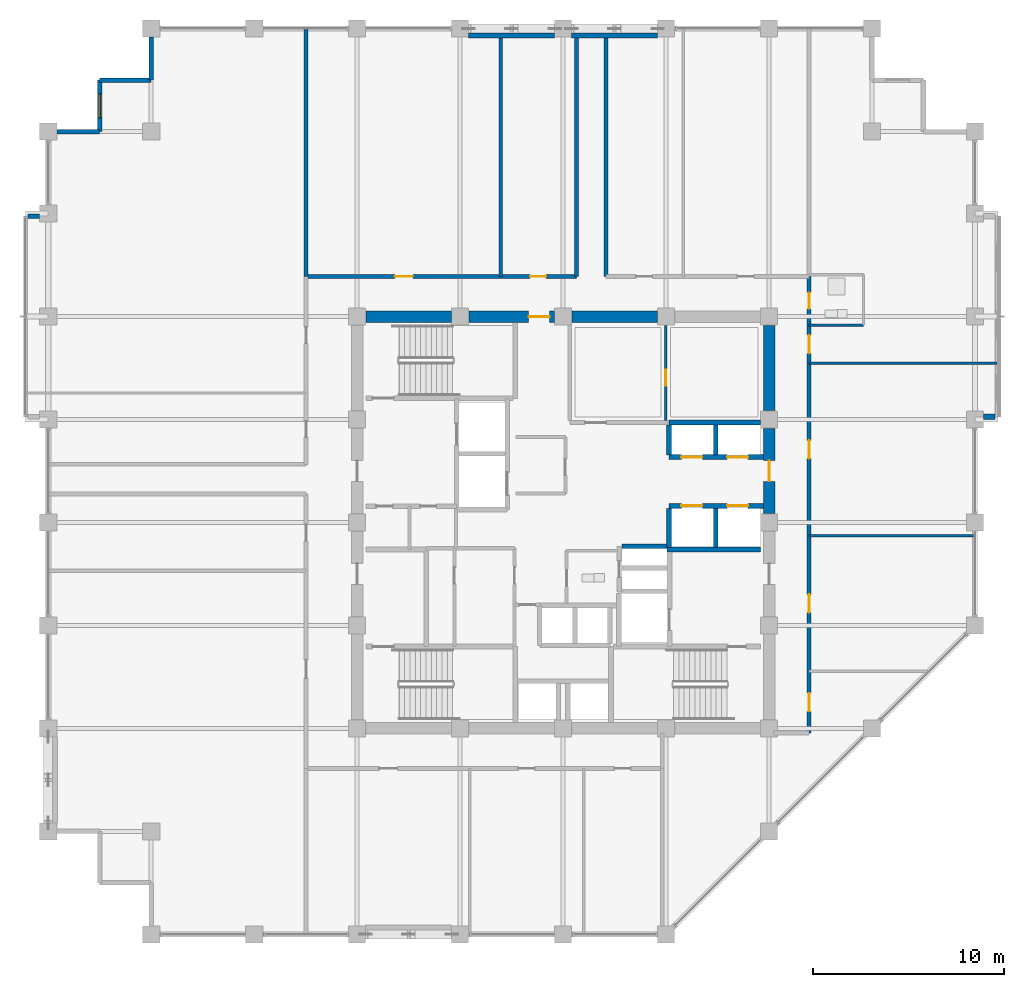
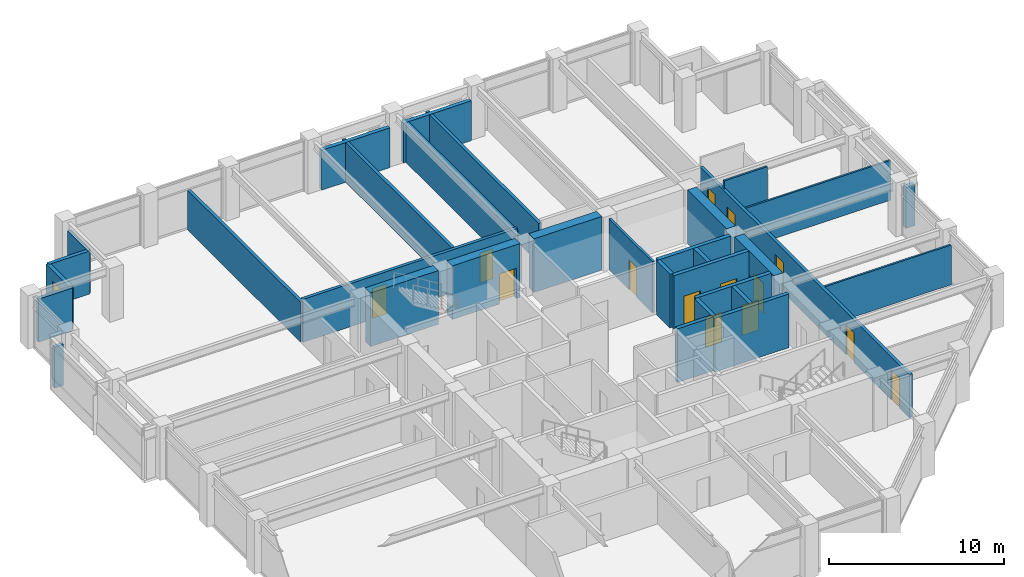
# One storey, part 28 of 32: 32 walls, 14 doors, 1 window, 15 openings.
"""IFC4 building model written with IfcOpenShell, lengths in metres."""

import ifcopenshell
import ifcopenshell.guid

model = None  # the IFC model being written
_history = None  # IfcOwnerHistory: only IFC2X3 demands one
_inside = {}  # id of a spatial element -> (the spatial element, [elements in it])
_under = {}  # id of a project, library or spatial element -> (it, [spatial elements below it])
_declared = {}  # id of a project -> (the project, [libraries it declares])
_typed = {}  # id of a type object -> (the type object, [elements of that type])
_made_of = {}  # id of a material, layer set ... -> (it, [elements and type objects made of it])


def new_model(schema):
    """Start an empty IFC model of exactly this schema.

    Asked for "IFC4X3", IfcOpenShell would pick the latest addendum, in which some entities
    have other attributes; the version numbers below select the first issue.
    IFC2X3 requires an IfcOwnerHistory on every rooted entity: one is made here for all.
    """
    global model, _history
    if schema == "IFC4X3":
        model = ifcopenshell.file(schema_version=(4, 3, 0, 0))
    else:
        model = ifcopenshell.file(schema=schema)
    _inside.clear()
    _under.clear()
    _declared.clear()
    _typed.clear()
    _made_of.clear()
    _history = None
    if model.schema == "IFC2X3":
        org = make("IfcOrganization", Name="unknown")
        user = make(
            "IfcPersonAndOrganization",
            ThePerson=make("IfcPerson", FamilyName="unknown"),
            TheOrganization=org,
        )
        app = make(
            "IfcApplication",
            ApplicationDeveloper=org,
            Version="unknown",
            ApplicationFullName="unknown",
            ApplicationIdentifier="unknown",
        )
        _history = make(
            "IfcOwnerHistory",
            OwningUser=user,
            OwningApplication=app,
            ChangeAction="ADDED",
            CreationDate=0,
        )
    return model


def make(cls, **values):
    """One entity of the class cls with the attributes given. An attribute that is None is left unset."""
    return model.create_entity(
        cls, **{name: value for name, value in values.items() if value is not None}
    )


def rooted(cls, **values):
    """An entity with a GlobalId (a new one), such as an element, a storey or a relation."""
    return make(cls, GlobalId=ifcopenshell.guid.new(), OwnerHistory=_history, **values)


def si_unit(unit_type, name, prefix=None):
    """IfcSIUnit, for example si_unit("LENGTHUNIT", "METRE", prefix="MILLI")."""
    return make("IfcSIUnit", UnitType=unit_type, Prefix=prefix, Name=name)


def assignment(units):
    """IfcUnitAssignment: the units of a project."""
    return None if units is None else make("IfcUnitAssignment", Units=units)


def point(xyz):
    """IfcCartesianPoint."""
    return None if xyz is None else make("IfcCartesianPoint", Coordinates=xyz)


def direction(xyz):
    """IfcDirection."""
    return None if xyz is None else make("IfcDirection", DirectionRatios=xyz)


def frame(location, z_axis=None, x_axis=None):
    """IfcAxis2Placement3D, a coordinate frame: its origin and axes. An axis left out is left unset."""
    return make(
        "IfcAxis2Placement3D",
        Location=point(location),
        Axis=direction(z_axis),
        RefDirection=direction(x_axis),
    )


def frame_2d(location, x_axis=None):
    """IfcAxis2Placement2D, a coordinate frame in the plane: its origin and x axis."""
    return make(
        "IfcAxis2Placement2D", Location=point(location), RefDirection=direction(x_axis)
    )


def origin():
    """The frame at (0, 0, 0) with its axes left unset."""
    return frame((0.0, 0.0, 0.0))


def place(relative_to, where):
    """IfcLocalPlacement: puts the frame where relative to a parent placement (None: the world)."""
    return make(
        "IfcLocalPlacement", PlacementRelTo=relative_to, RelativePlacement=where
    )


def context(
    kind, dimensions, precision=None, world=None, true_north=None, identifier=None
):
    """IfcGeometricRepresentationContext, for example the 3D "Model" context."""
    return make(
        "IfcGeometricRepresentationContext",
        ContextIdentifier=identifier,
        ContextType=kind,
        CoordinateSpaceDimension=dimensions,
        Precision=precision,
        WorldCoordinateSystem=world,
        TrueNorth=true_north,
    )


def subcontext(parent, identifier, kind, view, scale=None):
    """IfcGeometricRepresentationSubContext, for example "Body" below "Model"."""
    return make(
        "IfcGeometricRepresentationSubContext",
        ContextIdentifier=identifier,
        ContextType=kind,
        ParentContext=parent,
        TargetScale=scale,
        TargetView=view,
    )


def project(units=None, contexts=None):
    """IfcProject with its units and contexts."""
    return rooted(
        "IfcProject",
        Name="project",
        RepresentationContexts=contexts,
        UnitsInContext=assignment(units),
    )


def spatial(cls, under=None, at=None, **own):
    """A site, building, storey or space (cls), placed at a placement, below another one or the project."""
    s = rooted(cls, ObjectPlacement=at, **own)
    if under is not None:
        _under.setdefault(under.id(), (under, []))[1].append(s)
    return s


def profile(cls, at=None, kind="AREA", **sizes):
    """A parametric profile (cls). Its sizes go by their IFC names, for example OverallWidth=200.0."""
    return make(cls, ProfileType=kind, Position=at, **sizes)


def rectangle(**sizes):
    """IfcRectangleProfileDef."""
    return profile("IfcRectangleProfileDef", **sizes)


def extrude(swept, where, along, depth):
    """IfcExtrudedAreaSolid: the profile swept, set in the frame where, extruded along a direction by depth."""
    return make(
        "IfcExtrudedAreaSolid",
        SweptArea=swept,
        Position=where,
        ExtrudedDirection=direction(along),
        Depth=depth,
    )


def shape(context_of_items, identifier, shape_type, items):
    """IfcShapeRepresentation: the items that make up one representation, for example the "Body"."""
    return make(
        "IfcShapeRepresentation",
        ContextOfItems=context_of_items,
        RepresentationIdentifier=identifier,
        RepresentationType=shape_type,
        Items=items,
    )


def material(Name=None, Category=None):
    """IfcMaterial."""
    return make("IfcMaterial", Name=Name, Category=Category)


def layer(
    of_material, thickness, ventilated=None, Name=None, Category=None, Priority=None
):
    """IfcMaterialLayer: one layer of a wall or slab, of a material (None: an air gap)."""
    return make(
        "IfcMaterialLayer",
        Material=of_material,
        LayerThickness=thickness,
        IsVentilated=ventilated,
        Name=Name,
        Category=Category,
        Priority=Priority,
    )


def layer_set(layers, Name=None):
    """IfcMaterialLayerSet."""
    return make("IfcMaterialLayerSet", MaterialLayers=layers, LayerSetName=Name)


def made_of(thing, what):
    """Note that an element or type object is made of a material, layer set ...; save() writes the relation."""
    if what is not None:
        _made_of.setdefault(what.id(), (what, []))[1].append(thing)
    return thing


def type_object(cls, material=None, **own):
    """A type object (cls), such as IfcWallType, which elements share."""
    return made_of(rooted(cls, **own), material)


def element(
    cls,
    number,
    at=None,
    inside=None,
    cuts=None,
    type_object=None,
    material=None,
    context=None,
    identifier="Body",
    shape_type=None,
    held_by="IfcProductDefinitionShape",
    body=None,
    shapes=None,
    **own,
):
    """One element of the class cls, such as IfcWall. Its Tag is "e" and its number.

    at: its placement. inside: the storey or other place that contains it. cuts: it is an
    opening in that element (IfcRelVoidsElement). A single representation is given by context,
    identifier, shape_type and body (its items); several are given by shapes. held_by: the class
    of the entity that holds the representations. save() writes the other relations.
    """
    e = rooted(cls, Tag="e%d" % number, ObjectPlacement=at, **own)
    if body is not None:
        shapes = [shape(context, identifier, shape_type, body)]
    if shapes is not None:
        e.Representation = make(held_by, Representations=shapes)
    if inside is not None:
        _inside.setdefault(inside.id(), (inside, []))[1].append(e)
    if cuts is not None:
        rooted(
            "IfcRelVoidsElement", RelatingBuildingElement=cuts, RelatedOpeningElement=e
        )
    if type_object is not None:
        _typed.setdefault(type_object.id(), (type_object, []))[1].append(e)
    return made_of(e, material)


def fill(opening, filler):
    """IfcRelFillsElement: the door or window that sits in an opening."""
    return rooted(
        "IfcRelFillsElement",
        RelatingOpeningElement=opening,
        RelatedBuildingElement=filler,
    )


def aggregate(whole, parts):
    """IfcRelAggregates: a whole, such as a stair, and the parts it consists of."""
    return rooted("IfcRelAggregates", RelatingObject=whole, RelatedObjects=parts)


def save(model, path):
    """Write the relations noted so far, then the file.

    IfcRelAggregates (storeys below a building ...), IfcRelContainedInSpatialStructure (elements
    in a storey), IfcRelDefinesByType, IfcRelAssociatesMaterial and IfcRelDeclares: one each for
    every whole, place, type object, material and project.
    """
    for whole, parts in _under.values():
        aggregate(whole, parts)
    for where, things in _inside.values():
        rooted(
            "IfcRelContainedInSpatialStructure",
            RelatedElements=things,
            RelatingStructure=where,
        )
    for kind, things in _typed.values():
        rooted("IfcRelDefinesByType", RelatedObjects=things, RelatingType=kind)
    for what, things in _made_of.values():
        rooted("IfcRelAssociatesMaterial", RelatedObjects=things, RelatingMaterial=what)
    for by, libraries in _declared.values():
        rooted("IfcRelDeclares", RelatingContext=by, RelatedDefinitions=libraries)
    model.write(path)


model = new_model("IFC4")

# Units and contexts
model_context = context("Model", 3, precision=1e-05, world=origin(), true_north=direction((0.0, 1.0)))
body_context = subcontext(model_context, "Body", "Model", "MODEL_VIEW")
ifc_project = project(units=[si_unit("LENGTHUNIT", "METRE"), si_unit("AREAUNIT", "SQUARE_METRE"), si_unit("VOLUMEUNIT", "CUBIC_METRE"), si_unit("PLANEANGLEUNIT", "RADIAN"), si_unit("MASSUNIT", "GRAM", prefix="KILO")], contexts=[model_context])

# Site, building, storey
site_placement = place(None, origin())
site = spatial("IfcSite", under=ifc_project, at=site_placement, CompositionType="ELEMENT")
building_placement = place(site_placement, origin())
building = spatial("IfcBuilding", under=site, at=building_placement, Name="Surkhivell Harbour Commons", CompositionType="ELEMENT")
storey_placement = place(building_placement, frame((0.0, 0.0, 189.75)))
storey = spatial("IfcBuildingStorey", under=building, at=storey_placement, Name="L49", CompositionType="ELEMENT", Elevation=189.75)

# Wall
ifc_material_1 = material(Name="Concrete C60/75", Category="concrete")
ifc_layer_1 = layer(ifc_material_1, 0.60009765625)
ifc_layer_set_1 = layer_set([ifc_layer_1], Name="Concrete C60/75")
wall_type_1 = type_object("IfcWallType", Name="WAL-CORE-600", PredefinedType="SHEAR", material=ifc_layer_set_1)
wall_1_placement = place(storey_placement, frame((-10.340087890625, 10.800048828125, 0.0), z_axis=(0.0, 0.0, 1.0), x_axis=(1.0, 0.0, 0.0)))
element("IfcWall", 1, at=wall_1_placement, inside=storey, type_object=wall_type_1, Name="L49 Core Shear Wall North 1", PredefinedType="SHEAR", context=body_context, shape_type="SweptSolid", body=[
    extrude(rectangle(XDim=4.47998046875, YDim=0.60009765625, at=frame_2d((2.239990234375, 0.0))), origin(), (0.0, 0.0, 1.0), 3.75),
])

# Wall, opening, door
wall_2_placement = place(storey_placement, frame((-4.93994140625, 10.800048828125, 0.0), z_axis=(0.0, 0.0, 1.0), x_axis=(1.0, 0.0, 0.0)))
wall_2 = element("IfcWall", 2, at=wall_2_placement, inside=storey, type_object=wall_type_1, Name="L49 Core Shear Wall North 2", PredefinedType="SHEAR", context=body_context, shape_type="SweptSolid", body=[
    extrude(rectangle(XDim=4.47998046875, YDim=0.60009765625, at=frame_2d((2.239990234375, 0.0))), origin(), (0.0, 0.0, 1.0), 3.75),
])
opening_1_placement = place(wall_2_placement, frame((3.1298828125, 0.0, 0.0)))
opening_1 = element("IfcOpeningElement", 3, at=opening_1_placement, cuts=wall_2, Name="Opening ID-2", PredefinedType="OPENING", context=body_context, shape_type="SweptSolid", body=[
    extrude(rectangle(XDim=1.10009765625, YDim=2.10009765625, at=frame_2d((0.550048828125, 1.050048828125))), frame((0.0, 0.31005859375, 0.0), z_axis=(0.0, -1.0, 0.0), x_axis=(1.0, 0.0, 0.0)), (0.0, 0.0, 1.0), 0.6201171875),
])
ifc_material_2 = material(Name="Hardwood-veneered fire-rated door leaf", Category="wood")
door_type_1 = type_object("IfcDoorType", Name="DOR-FD60-1100", OperationType="NOTDEFINED", PredefinedType="DOOR", material=ifc_material_2)
door_1_placement = place(opening_1_placement, origin())
door_1 = element("IfcDoor", 4, at=door_1_placement, inside=storey, type_object=door_type_1, Name="L49 Central Core Lift Hall North Corridor Door", OperationType="SINGLE_SWING_LEFT", OverallHeight=2.10009765625, OverallWidth=1.10009765625, PredefinedType="DOOR", context=body_context, shape_type="SweptSolid", body=[
    extrude(rectangle(XDim=1.10009765625, YDim=2.10009765625, at=frame_2d((0.550048828125, 1.050048828125))), frame((0.0, 0.02490234375, 0.0), z_axis=(0.0, -1.0, 0.0), x_axis=(1.0, 0.0, 0.0)), (0.0, 0.0, 1.0), 0.050048828125),
])
fill(opening_1, door_1)

# Wall
wall_3_placement = place(storey_placement, frame((0.4599609375, 10.800048828125, 0.0), z_axis=(0.0, 0.0, 1.0), x_axis=(1.0, 0.0, 0.0)))
element("IfcWall", 5, at=wall_3_placement, inside=storey, type_object=wall_type_1, Name="L49 Core Shear Wall North 3", PredefinedType="SHEAR", context=body_context, shape_type="SweptSolid", body=[
    extrude(rectangle(XDim=4.47998046875, YDim=0.60009765625, at=frame_2d((2.239990234375, 0.0))), origin(), (0.0, 0.0, 1.0), 3.75),
])

# Wall, opening, door
wall_4_placement = place(storey_placement, frame((10.800048828125, 0.4599609375, 0.0), z_axis=(0.0, 0.0, 1.0), x_axis=(0.0, 1.0, 0.0)))
wall_4 = element("IfcWall", 6, at=wall_4_placement, inside=storey, type_object=wall_type_1, Name="L49 Core Shear Wall East 3", PredefinedType="SHEAR", context=body_context, shape_type="SweptSolid", body=[
    extrude(rectangle(XDim=4.47998046875, YDim=0.60009765625, at=frame_2d((2.239990234375, 0.0))), origin(), (0.0, 0.0, 1.0), 3.75),
])
opening_2_placement = place(wall_4_placement, frame((1.68994140625, 0.0, 0.0)))
opening_2 = element("IfcOpeningElement", 7, at=opening_2_placement, cuts=wall_4, Name="Opening ID-2", PredefinedType="OPENING", context=body_context, shape_type="SweptSolid", body=[
    extrude(rectangle(XDim=1.10009765625, YDim=2.10009765625, at=frame_2d((0.550048828125, 1.050048828125))), frame((0.0, 0.31005859375, 0.0), z_axis=(0.0, -1.0, 0.0), x_axis=(1.0, 0.0, 0.0)), (0.0, 0.0, 1.0), 0.6201171875),
])
door_2_placement = place(opening_2_placement, origin())
door_2 = element("IfcDoor", 8, at=door_2_placement, inside=storey, type_object=door_type_1, Name="L49 Mid-Rise Lobby East Door", OperationType="SINGLE_SWING_LEFT", OverallHeight=2.10009765625, OverallWidth=1.10009765625, PredefinedType="DOOR", context=body_context, shape_type="SweptSolid", body=[
    extrude(rectangle(XDim=1.10009765625, YDim=2.10009765625, at=frame_2d((0.550048828125, 1.050048828125))), frame((0.0, 0.02490234375, 0.0), z_axis=(0.0, -1.0, 0.0), x_axis=(1.0, 0.0, 0.0)), (0.0, 0.0, 1.0), 0.050048828125),
])
fill(opening_2, door_2)

# Walls
wall_5_placement = place(storey_placement, frame((10.800048828125, 5.860107421875, 0.0), z_axis=(0.0, 0.0, 1.0), x_axis=(0.0, 1.0, 0.0)))
element("IfcWall", 9, at=wall_5_placement, inside=storey, type_object=wall_type_1, Name="L49 Core Shear Wall East 4", PredefinedType="SHEAR", context=body_context, shape_type="SweptSolid", body=[
    extrude(rectangle(XDim=4.47998046875, YDim=0.60009765625, at=frame_2d((2.239990234375, 0.0))), origin(), (0.0, 0.0, 1.0), 3.75),
])
ifc_material_3 = material(Name="Flemish-bond kiln brick and precast concrete C45/55", Category="masonry")
ifc_layer_2 = layer(ifc_material_3, 0.300048828125)
ifc_layer_set_2 = layer_set([ifc_layer_2], Name="Flemish-bond kiln brick and precast concrete C45/55")
wall_type_2 = type_object("IfcWallType", Name="WAL-EXT-BRK300", PredefinedType="STANDARD", material=ifc_layer_set_2)
wall_6_placement = place(storey_placement, frame((22.053955078125, 5.5400390625, 0.0), z_axis=(0.0, 0.0, 1.0), x_axis=(1.0, 0.0, 0.0)))
element("IfcWall", 10, at=wall_6_placement, inside=storey, type_object=wall_type_2, Name="L49 Coloured Box Return Wall 01S", PredefinedType="STANDARD", context=body_context, shape_type="SweptSolid", body=[
    extrude(rectangle(XDim=0.60595703125, YDim=0.300048828125, at=frame_2d((0.302978515625, 0.0))), origin(), (0.0, 0.0, 1.0), 2.85693359375),
])
ifc_material_4 = material(Name="Pale-metal insulated precast concrete C45/55", Category="concrete")
ifc_layer_3 = layer(ifc_material_4, 0.260009765625)
ifc_layer_set_3 = layer_set([ifc_layer_3], Name="Pale-metal insulated precast concrete C45/55")
wall_type_3 = type_object("IfcWallType", Name="WAL-EXT-MTL260", PredefinedType="STANDARD", material=ifc_layer_set_3)
for number, where, z_axis, x_axis, name in (
    (11, (-0.447998046875, 25.5400390625, 0.0), (0.0, 0.0, 1.0), (-1.0, 0.0, 0.0), "L49 Braced-Bay Insulated Spandrel Backing N"),
    (12, (4.951904296875, 25.5400390625, 0.0), (0.0, 0.0, 1.0), (-1.0, 0.0, 0.0), "L49 Braced-Bay Insulated Spandrel Backing N2"),
):
    element("IfcWall", number, at=place(storey_placement, frame(where, z_axis=z_axis, x_axis=x_axis)), inside=storey, type_object=wall_type_3, Name=name, PredefinedType="STANDARD", context=body_context, shape_type="SweptSolid", body=[
        extrude(rectangle(XDim=4.50390625, YDim=0.260009765625, at=frame_2d((2.251953125, 0.0))), origin(), (0.0, 0.0, 1.0), 2.780029296875),
    ])
ifc_material_5 = material(Name="Bronze-ochre cassette precast concrete C45/55", Category="concrete")
ifc_layer_4 = layer(ifc_material_5, 0.239990234375)
ifc_layer_set_4 = layer_set([ifc_layer_4], Name="Bronze-ochre cassette precast concrete C45/55")
wall_type_4 = type_object("IfcWallType", Name="WAL-EXT-OCH240", PredefinedType="STANDARD", material=ifc_layer_set_4)
wall_7_placement = place(storey_placement, frame((-21.60009765625, 25.451904296875, 0.0), z_axis=(0.0, 0.0, 1.0), x_axis=(0.0, -1.0, 0.0)))
element("IfcWall", 13, at=wall_7_placement, inside=storey, type_object=wall_type_4, Name="L49 Serrated Corner Facade Wall 08", PredefinedType="STANDARD", context=body_context, shape_type="SweptSolid", body=[
    extrude(rectangle(XDim=2.251953125, YDim=0.239990234375, at=frame_2d((1.1259765625, 0.0))), origin(), (0.0, 0.0, 1.0), 3.006103515625),
])
wall_8_placement = place(storey_placement, frame((-21.60009765625, 23.199951171875, 0.0), z_axis=(0.0, 0.0, 1.0), x_axis=(-1.0, 0.0, 0.0)))
element("IfcWall", 14, at=wall_8_placement, inside=storey, type_object=wall_type_4, Name="L49 Serrated Corner Facade Wall 09", PredefinedType="STANDARD", context=body_context, shape_type="SweptSolid", body=[
    extrude(rectangle(XDim=2.699951171875, YDim=0.239990234375, at=frame_2d((1.35009765625, 0.0))), origin(), (0.0, 0.0, 1.0), 3.006103515625),
])

# Wall, opening, window
wall_9_placement = place(storey_placement, frame((-24.300048828125, 23.199951171875, 0.0), z_axis=(0.0, 0.0, 1.0), x_axis=(0.0, -1.0, 0.0)))
wall_9 = element("IfcWall", 15, at=wall_9_placement, inside=storey, type_object=wall_type_4, Name="L49 Serrated Corner Facade Wall 10", PredefinedType="STANDARD", context=body_context, shape_type="SweptSolid", body=[
    extrude(rectangle(XDim=2.699951171875, YDim=0.239990234375, at=frame_2d((1.35009765625, 0.0))), origin(), (0.0, 0.0, 1.0), 3.006103515625),
])
opening_3_placement = place(wall_9_placement, frame((0.72509765625, 0.0, 0.64990234375)))
opening_3 = element("IfcOpeningElement", 16, at=opening_3_placement, cuts=wall_9, Name="Opening WN-09", PredefinedType="OPENING", context=body_context, shape_type="SweptSolid", body=[
    extrude(rectangle(XDim=1.25, YDim=1.60009765625, at=frame_2d((0.625, 0.800048828125))), frame((0.0, 0.1298828125, 0.0), z_axis=(0.0, -1.0, 0.0), x_axis=(1.0, 0.0, 0.0)), (0.0, 0.0, 1.0), 0.260009765625),
])
ifc_material_6 = material(Name="Thermal-break aluminium frame and double low-E glazing", Category="aluminium")
window_type = type_object("IfcWindowType", Name="WIN-SER-1250x1600", PartitioningType="SINGLE_PANEL", PredefinedType="WINDOW", material=ifc_material_6)
window_placement = place(opening_3_placement, origin())
window = element("IfcWindow", 17, at=window_placement, inside=storey, type_object=window_type, Name="L49 Serrated Alcove Window 10", OverallHeight=1.60009765625, OverallWidth=1.25, PartitioningType="SINGLE_PANEL", PredefinedType="WINDOW", context=body_context, shape_type="SweptSolid", body=[
    extrude(rectangle(XDim=1.25, YDim=1.60009765625, at=frame_2d((0.625, 0.800048828125))), frame((0.0, 0.030029296875, 0.0), z_axis=(0.0, -1.0, 0.0), x_axis=(1.0, 0.0, 0.0)), (0.0, 0.0, 1.0), 0.06005859375),
])
fill(opening_3, window)

# Walls
wall_10_placement = place(storey_placement, frame((-24.300048828125, 20.5, 0.0), z_axis=(0.0, 0.0, 1.0), x_axis=(-1.0, 0.0, 0.0)))
element("IfcWall", 18, at=wall_10_placement, inside=storey, type_object=wall_type_4, Name="L49 Serrated Corner Facade Wall 11", PredefinedType="STANDARD", context=body_context, shape_type="SweptSolid", body=[
    extrude(rectangle(XDim=2.251953125, YDim=0.239990234375, at=frame_2d((1.1259765625, 0.0))), origin(), (0.0, 0.0, 1.0), 3.006103515625),
])
wall_11_placement = place(storey_placement, frame((-28.06005859375, 16.06005859375, 0.0), z_axis=(0.0, 0.0, 1.0), x_axis=(1.0, 0.0, 0.0)))
element("IfcWall", 19, at=wall_11_placement, inside=storey, type_object=wall_type_4, Name="L49 Coloured Box Return Wall 02N", PredefinedType="STANDARD", context=body_context, shape_type="SweptSolid", body=[
    extrude(rectangle(XDim=0.60595703125, YDim=0.239990234375, at=frame_2d((0.302978515625, 0.0))), origin(), (0.0, 0.0, 1.0), 2.85693359375),
])
ifc_material_7 = material(Name="Moisture-resistant acoustic stud partition", Category="other")
ifc_layer_5 = layer(ifc_material_7, 0.125)
ifc_layer_set_5 = layer_set([ifc_layer_5], Name="Moisture-resistant acoustic stud partition")
wall_type_5 = type_object("IfcWallType", Name="WAL-INT-125", PredefinedType="PARTITIONING", material=ifc_layer_set_5)
wall_12_placement = place(storey_placement, frame((12.89990234375, -0.68994140625, 0.0), z_axis=(0.0, 0.0, 1.0), x_axis=(1.0, 0.0, 0.0)))
element("IfcWall", 20, at=wall_12_placement, inside=storey, type_object=wall_type_5, Name="L49 East Partition BDP1", PredefinedType="PARTITIONING", context=body_context, shape_type="SweptSolid", body=[
    extrude(rectangle(XDim=8.64013671875, YDim=0.125, at=frame_2d((4.320068359375, 0.0))), origin(), (0.0, 0.0, 1.0), 2.780029296875),
])
wall_13_placement = place(storey_placement, frame((12.89990234375, 10.35009765625, 0.0), z_axis=(0.0, 0.0, 1.0), x_axis=(1.0, 0.0, 0.0)))
element("IfcWall", 21, at=wall_13_placement, inside=storey, type_object=wall_type_5, Name="L49 East Partition BTHS", PredefinedType="PARTITIONING", context=body_context, shape_type="SweptSolid", body=[
    extrude(rectangle(XDim=2.85009765625, YDim=0.125, at=frame_2d((1.425048828125, 0.0))), origin(), (0.0, 0.0, 1.0), 3.570068359375),
])
wall_14_placement = place(storey_placement, frame((12.89990234375, 8.35009765625, 0.0), z_axis=(0.0, 0.0, 1.0), x_axis=(1.0, 0.0, 0.0)))
element("IfcWall", 22, at=wall_14_placement, inside=storey, type_object=wall_type_5, Name="L49 East Partition PTOP", PredefinedType="PARTITIONING", context=body_context, shape_type="SweptSolid", body=[
    extrude(rectangle(XDim=9.840087890625, YDim=0.125, at=frame_2d((4.919921875, 0.0))), origin(), (0.0, 0.0, 1.0), 2.780029296875),
])

# Wall, opening, door
ifc_material_8 = material(Name="Twin-stud acoustic fireboard partition", Category="other")
ifc_layer_6 = layer(ifc_material_8, 0.14990234375)
ifc_layer_set_6 = layer_set([ifc_layer_6], Name="Twin-stud acoustic fireboard partition")
wall_type_6 = type_object("IfcWallType", Name="WAL-INT-150", PredefinedType="PARTITIONING", material=ifc_layer_set_6)
wall_15_placement = place(storey_placement, frame((5.3798828125, 5.360107421875, 0.0), z_axis=(0.0, 0.0, 1.0), x_axis=(0.0, 1.0, 0.0)))
wall_15 = element("IfcWall", 23, at=wall_15_placement, inside=storey, type_object=wall_type_6, Name="L49 Core Library Divider", PredefinedType="PARTITIONING", context=body_context, shape_type="SweptSolid", body=[
    extrude(rectangle(XDim=4.97998046875, YDim=0.14990234375, at=frame_2d((2.489990234375, 0.0))), origin(), (0.0, 0.0, 1.0), 3.570068359375),
])
opening_4_placement = place(wall_15_placement, frame((1.800048828125, 0.0, 0.0)))
opening_4 = element("IfcOpeningElement", 24, at=opening_4_placement, cuts=wall_15, Name="Opening ID-6", PredefinedType="OPENING", context=body_context, shape_type="SweptSolid", body=[
    extrude(rectangle(XDim=0.85009765625, YDim=2.10009765625, at=frame_2d((0.425048828125, 1.050048828125))), frame((0.0, 0.0849609375, 0.0), z_axis=(0.0, -1.0, 0.0), x_axis=(1.0, 0.0, 0.0)), (0.0, 0.0, 1.0), 0.169921875),
])
door_type_2 = type_object("IfcDoorType", Name="DOR-FD30-850", OperationType="NOTDEFINED", PredefinedType="DOOR", material=ifc_material_2)
door_3_placement = place(opening_4_placement, origin())
door_3 = element("IfcDoor", 25, at=door_3_placement, inside=storey, type_object=door_type_2, Name="L49 Core Reading Door", OperationType="SINGLE_SWING_RIGHT", OverallHeight=2.10009765625, OverallWidth=0.85009765625, PredefinedType="DOOR", context=body_context, shape_type="SweptSolid", body=[
    extrude(rectangle(XDim=0.85009765625, YDim=2.10009765625, at=frame_2d((0.425048828125, 1.050048828125))), frame((0.0, 0.02490234375, 0.0), z_axis=(0.0, -1.0, 0.0), x_axis=(1.0, 0.0, 0.0)), (0.0, 0.0, 1.0), 0.050048828125),
])
fill(opening_4, door_3)

# Wall
ifc_material_9 = material(Name="Autoclaved aerated concrete blockwork and fire plaster", Category="masonry")
ifc_layer_7 = layer(ifc_material_9, 0.199951171875)
ifc_layer_set_7 = layer_set([ifc_layer_7], Name="Autoclaved aerated concrete blockwork and fire plaster")
wall_type_7 = type_object("IfcWallType", Name="WAL-INT-200", PredefinedType="PARTITIONING", material=ifc_layer_set_7)
wall_16_placement = place(storey_placement, frame((-13.47998046875, 12.89990234375, 0.0), z_axis=(0.0, 0.0, 1.0), x_axis=(0.0, 1.0, 0.0)))
element("IfcWall", 26, at=wall_16_placement, inside=storey, type_object=wall_type_7, Name="L49 North-West Corner Wall", PredefinedType="PARTITIONING", context=body_context, shape_type="SweptSolid", body=[
    extrude(rectangle(XDim=12.940185546875, YDim=0.199951171875, at=frame_2d((6.47021484375, 0.0))), origin(), (0.0, 0.0, 1.0), 2.780029296875),
])

# Wall, openings, doors
wall_17_placement = place(storey_placement, frame((12.89990234375, -11.0400390625, 0.0), z_axis=(0.0, 0.0, 1.0), x_axis=(0.0, 1.0, 0.0)))
wall_17 = element("IfcWall", 27, at=wall_17_placement, inside=storey, type_object=wall_type_7, Name="L49 Corridor East Wall", PredefinedType="PARTITIONING", context=body_context, shape_type="SweptSolid", body=[
    extrude(rectangle(XDim=23.93994140625, YDim=0.199951171875, at=frame_2d((11.969970703125, 0.0))), origin(), (0.0, 0.0, 1.0), 3.006103515625),
])
opening_5_placement = place(wall_17_placement, frame((1.139892578125, 0.0, 0.0)))
opening_5 = element("IfcOpeningElement", 28, at=opening_5_placement, cuts=wall_17, Name="Opening ID-4", PredefinedType="OPENING", context=body_context, shape_type="SweptSolid", body=[
    extrude(rectangle(XDim=0.949951171875, YDim=2.10009765625, at=frame_2d((0.47509765625, 1.050048828125))), frame((0.0, 0.10986328125, 0.0), z_axis=(0.0, -1.0, 0.0), x_axis=(1.0, 0.0, 0.0)), (0.0, 0.0, 1.0), 0.219970703125),
])
opening_6_placement = place(wall_17_placement, frame((22.2451171875, 0.0, 0.0)))
opening_6 = element("IfcOpeningElement", 29, at=opening_6_placement, cuts=wall_17, Name="Opening ID-6", PredefinedType="OPENING", context=body_context, shape_type="SweptSolid", body=[
    extrude(rectangle(XDim=0.85009765625, YDim=2.10009765625, at=frame_2d((0.425048828125, 1.050048828125))), frame((0.0, 0.10986328125, 0.0), z_axis=(0.0, -1.0, 0.0), x_axis=(1.0, 0.0, 0.0)), (0.0, 0.0, 1.0), 0.219970703125),
])
opening_7_placement = place(wall_17_placement, frame((19.909912109375, 0.0, 0.0)))
opening_7 = element("IfcOpeningElement", 30, at=opening_7_placement, cuts=wall_17, Name="Opening ID-4", PredefinedType="OPENING", context=body_context, shape_type="SweptSolid", body=[
    extrude(rectangle(XDim=0.949951171875, YDim=2.10009765625, at=frame_2d((0.47509765625, 1.050048828125))), frame((0.0, 0.10986328125, 0.0), z_axis=(0.0, -1.0, 0.0), x_axis=(1.0, 0.0, 0.0)), (0.0, 0.0, 1.0), 0.219970703125),
])
opening_8_placement = place(wall_17_placement, frame((6.31494140625, 0.0, 0.0)))
opening_8 = element("IfcOpeningElement", 31, at=opening_8_placement, cuts=wall_17, Name="Opening ID-4", PredefinedType="OPENING", context=body_context, shape_type="SweptSolid", body=[
    extrude(rectangle(XDim=0.949951171875, YDim=2.10009765625, at=frame_2d((0.47509765625, 1.050048828125))), frame((0.0, 0.10986328125, 0.0), z_axis=(0.0, -1.0, 0.0), x_axis=(1.0, 0.0, 0.0)), (0.0, 0.0, 1.0), 0.219970703125),
])
opening_9_placement = place(wall_17_placement, frame((14.389892578125, 0.0, 0.0)))
opening_9 = element("IfcOpeningElement", 32, at=opening_9_placement, cuts=wall_17, Name="Opening ID-4", PredefinedType="OPENING", context=body_context, shape_type="SweptSolid", body=[
    extrude(rectangle(XDim=0.949951171875, YDim=2.10009765625, at=frame_2d((0.47509765625, 1.050048828125))), frame((0.0, 0.10986328125, 0.0), z_axis=(0.0, -1.0, 0.0), x_axis=(1.0, 0.0, 0.0)), (0.0, 0.0, 1.0), 0.219970703125),
])
door_4_placement = place(opening_6_placement, origin())
door_4 = element("IfcDoor", 33, at=door_4_placement, inside=storey, type_object=door_type_2, Name="L49 Communal Shower Bathroom East Door", OperationType="SINGLE_SWING_RIGHT", OverallHeight=2.10009765625, OverallWidth=0.85009765625, PredefinedType="DOOR", context=body_context, shape_type="SweptSolid", body=[
    extrude(rectangle(XDim=0.85009765625, YDim=2.10009765625, at=frame_2d((0.425048828125, 1.050048828125))), frame((0.0, 0.02490234375, 0.0), z_axis=(0.0, -1.0, 0.0), x_axis=(1.0, 0.0, 0.0)), (0.0, 0.0, 1.0), 0.050048828125),
])
fill(opening_6, door_4)
door_type_3 = type_object("IfcDoorType", Name="DOR-FD60-950", OperationType="NOTDEFINED", PredefinedType="DOOR", material=ifc_material_2)
door_5_placement = place(opening_5_placement, origin())
door_5 = element("IfcDoor", 34, at=door_5_placement, inside=storey, type_object=door_type_3, Name="L49 Shared Communal Kitchen East Door", OperationType="SINGLE_SWING_LEFT", OverallHeight=2.10009765625, OverallWidth=0.949951171875, PredefinedType="DOOR", context=body_context, shape_type="SweptSolid", body=[
    extrude(rectangle(XDim=0.949951171875, YDim=2.10009765625, at=frame_2d((0.47509765625, 1.050048828125))), frame((0.0, 0.02490234375, 0.0), z_axis=(0.0, -1.0, 0.0), x_axis=(1.0, 0.0, 0.0)), (0.0, 0.0, 1.0), 0.050048828125),
])
fill(opening_5, door_5)
door_6_placement = place(opening_7_placement, origin())
door_6 = element("IfcDoor", 35, at=door_6_placement, inside=storey, type_object=door_type_3, Name="L49 Academic Reading Commons East Door", OperationType="SINGLE_SWING_LEFT", OverallHeight=2.10009765625, OverallWidth=0.949951171875, PredefinedType="DOOR", context=body_context, shape_type="SweptSolid", body=[
    extrude(rectangle(XDim=0.949951171875, YDim=2.10009765625, at=frame_2d((0.47509765625, 1.050048828125))), frame((0.0, 0.02490234375, 0.0), z_axis=(0.0, -1.0, 0.0), x_axis=(1.0, 0.0, 0.0)), (0.0, 0.0, 1.0), 0.050048828125),
])
fill(opening_7, door_6)
door_7_placement = place(opening_8_placement, origin())
door_7 = element("IfcDoor", 36, at=door_7_placement, inside=storey, type_object=door_type_3, Name="L49 Hostel Cluster Bedroom 1 East Door", OperationType="SINGLE_SWING_RIGHT", OverallHeight=2.10009765625, OverallWidth=0.949951171875, PredefinedType="DOOR", context=body_context, shape_type="SweptSolid", body=[
    extrude(rectangle(XDim=0.949951171875, YDim=2.10009765625, at=frame_2d((0.47509765625, 1.050048828125))), frame((0.0, 0.02490234375, 0.0), z_axis=(0.0, -1.0, 0.0), x_axis=(1.0, 0.0, 0.0)), (0.0, 0.0, 1.0), 0.050048828125),
])
fill(opening_8, door_7)
door_8_placement = place(opening_9_placement, origin())
door_8 = element("IfcDoor", 37, at=door_8_placement, inside=storey, type_object=door_type_3, Name="L49 Co-Living Dormitory Bedroom 2 East Door", OperationType="SINGLE_SWING_LEFT", OverallHeight=2.10009765625, OverallWidth=0.949951171875, PredefinedType="DOOR", context=body_context, shape_type="SweptSolid", body=[
    extrude(rectangle(XDim=0.949951171875, YDim=2.10009765625, at=frame_2d((0.47509765625, 1.050048828125))), frame((0.0, 0.02490234375, 0.0), z_axis=(0.0, -1.0, 0.0), x_axis=(1.0, 0.0, 0.0)), (0.0, 0.0, 1.0), 0.050048828125),
])
fill(opening_9, door_8)

wall_18_placement = place(storey_placement, frame((-13.47998046875, 12.89990234375, 0.0), z_axis=(0.0, 0.0, 1.0), x_axis=(1.0, 0.0, 0.0)))
wall_18 = element("IfcWall", 38, at=wall_18_placement, inside=storey, type_object=wall_type_7, Name="L49 Corridor North-West Wall", PredefinedType="PARTITIONING", context=body_context, shape_type="SweptSolid", body=[
    extrude(rectangle(XDim=14.179931640625, YDim=0.199951171875, at=frame_2d((7.08984375, 0.0))), origin(), (0.0, 0.0, 1.0), 3.006103515625),
])
opening_10_placement = place(wall_18_placement, frame((4.655029296875, 0.0, 0.0)))
opening_10 = element("IfcOpeningElement", 39, at=opening_10_placement, cuts=wall_18, Name="Opening ID-4", PredefinedType="OPENING", context=body_context, shape_type="SweptSolid", body=[
    extrude(rectangle(XDim=0.949951171875, YDim=2.10009765625, at=frame_2d((0.47509765625, 1.050048828125))), frame((0.0, 0.10986328125, 0.0), z_axis=(0.0, -1.0, 0.0), x_axis=(1.0, 0.0, 0.0)), (0.0, 0.0, 1.0), 0.219970703125),
])
opening_11_placement = place(wall_18_placement, frame((11.7451171875, 0.0, 0.0)))
opening_11 = element("IfcOpeningElement", 40, at=opening_11_placement, cuts=wall_18, Name="Opening ID-6", PredefinedType="OPENING", context=body_context, shape_type="SweptSolid", body=[
    extrude(rectangle(XDim=0.85009765625, YDim=2.10009765625, at=frame_2d((0.425048828125, 1.050048828125))), frame((0.0, 0.10986328125, 0.0), z_axis=(0.0, -1.0, 0.0), x_axis=(1.0, 0.0, 0.0)), (0.0, 0.0, 1.0), 0.219970703125),
])
door_9_placement = place(opening_11_placement, origin())
door_9 = element("IfcDoor", 41, at=door_9_placement, inside=storey, type_object=door_type_2, Name="L49 Resident Advisory Reception Desk North-West Door", OperationType="SINGLE_SWING_RIGHT", OverallHeight=2.10009765625, OverallWidth=0.85009765625, PredefinedType="DOOR", context=body_context, shape_type="SweptSolid", body=[
    extrude(rectangle(XDim=0.85009765625, YDim=2.10009765625, at=frame_2d((0.425048828125, 1.050048828125))), frame((0.0, 0.02490234375, 0.0), z_axis=(0.0, -1.0, 0.0), x_axis=(1.0, 0.0, 0.0)), (0.0, 0.0, 1.0), 0.050048828125),
])
fill(opening_11, door_9)
door_10_placement = place(opening_10_placement, origin())
door_10 = element("IfcDoor", 42, at=door_10_placement, inside=storey, type_object=door_type_3, Name="L49 Zone Concierge Reception Foyer North-West Door", OperationType="SINGLE_SWING_LEFT", OverallHeight=2.10009765625, OverallWidth=0.949951171875, PredefinedType="DOOR", context=body_context, shape_type="SweptSolid", body=[
    extrude(rectangle(XDim=0.949951171875, YDim=2.10009765625, at=frame_2d((0.47509765625, 1.050048828125))), frame((0.0, 0.02490234375, 0.0), z_axis=(0.0, -1.0, 0.0), x_axis=(1.0, 0.0, 0.0)), (0.0, 0.0, 1.0), 0.050048828125),
])
fill(opening_10, door_10)

# Walls
for number, where, z_axis, x_axis, name in (
    (43, (2.25, 12.89990234375, 0.0), (0.0, 0.0, 1.0), (0.0, 1.0, 0.0), "L49 North Spur East Wall"),
    (44, (0.699951171875, 12.89990234375, 0.0), (0.0, 0.0, 1.0), (0.0, 1.0, 0.0), "L49 North Spur West Wall"),
    (45, (-3.27001953125, 12.89990234375, 0.0), (0.0, 0.0, 1.0), (0.0, 1.0, 0.0), "L49 North-West Partition P1"),
):
    element("IfcWall", number, at=place(storey_placement, frame(where, z_axis=z_axis, x_axis=x_axis)), inside=storey, type_object=wall_type_7, Name=name, PredefinedType="PARTITIONING", context=body_context, shape_type="SweptSolid", body=[
        extrude(rectangle(XDim=12.940185546875, YDim=0.199951171875, at=frame_2d((6.47021484375, 0.0))), origin(), (0.0, 0.0, 1.0), 2.780029296875),
    ])
ifc_material_10 = material(Name="Concrete C50/60", Category="concrete")
ifc_layer_8 = layer(ifc_material_10, 0.25)
ifc_layer_set_8 = layer_set([ifc_layer_8], Name="Concrete C50/60")
wall_type_8 = type_object("IfcWallType", Name="WAL-SHAFT-250", PredefinedType="SHEAR", material=ifc_layer_set_8)
wall_19_placement = place(storey_placement, frame((5.43994140625, -1.419921875, 0.0), z_axis=(0.0, 0.0, 1.0), x_axis=(1.0, 0.0, 0.0)))
element("IfcWall", 46, at=wall_19_placement, inside=storey, type_object=wall_type_8, Name="L49 Firefighting Lobby 2 North Wall", PredefinedType="SHEAR", context=body_context, shape_type="SweptSolid", body=[
    extrude(rectangle(XDim=4.900146484375, YDim=0.25, at=frame_2d((2.4501953125, 0.0))), origin(), (0.0, 0.0, 1.0), 3.75),
])
for number, where, z_axis, x_axis, name in (
    (47, (5.550048828125, 3.550048828125, 0.0), (0.0, 0.0, 1.0), (0.0, 1.0, 0.0), "L49 Mid-Rise Shaft Side Wall N"),
    (48, (8.0, 3.550048828125, 0.0), (0.0, 0.0, 1.0), (0.0, 1.0, 0.0), "L49 Mid-Rise Shaft Side Wall N"),
):
    element("IfcWall", number, at=place(storey_placement, frame(where, z_axis=z_axis, x_axis=x_axis)), inside=storey, type_object=wall_type_8, Name=name, PredefinedType="SHEAR", context=body_context, shape_type="SweptSolid", body=[
        extrude(rectangle(XDim=1.570068359375, YDim=0.25, at=frame_2d((0.78515625, 0.0))), origin(), (0.0, 0.0, 1.0), 3.75),
    ])
for number, where, z_axis, x_axis, name in (
    (49, (5.550048828125, -1.300048828125, 0.0), (0.0, 0.0, 1.0), (0.0, 1.0, 0.0), "L49 Mid-Rise Shaft Side Wall S"),
    (50, (8.0, -1.300048828125, 0.0), (0.0, 0.0, 1.0), (0.0, 1.0, 0.0), "L49 Mid-Rise Shaft Side Wall S"),
):
    element("IfcWall", number, at=place(storey_placement, frame(where, z_axis=z_axis, x_axis=x_axis)), inside=storey, type_object=wall_type_8, Name=name, PredefinedType="SHEAR", context=body_context, shape_type="SweptSolid", body=[
        extrude(rectangle(XDim=2.0400390625, YDim=0.25, at=frame_2d((1.02001953125, 0.0))), origin(), (0.0, 0.0, 1.0), 3.75),
    ])

# Wall, openings, doors
wall_20_placement = place(storey_placement, frame((5.550048828125, 3.429931640625, 0.0), z_axis=(0.0, 0.0, 1.0), x_axis=(1.0, 0.0, 0.0)))
wall_20 = element("IfcWall", 51, at=wall_20_placement, inside=storey, type_object=wall_type_8, Name="L49 Mid-Rise North Front Shaft Wall", PredefinedType="SHEAR", context=body_context, shape_type="SweptSolid", body=[
    extrude(rectangle(XDim=4.949951171875, YDim=0.25, at=frame_2d((2.47509765625, 0.0))), origin(), (0.0, 0.0, 1.0), 3.75),
])
opening_12_placement = place(wall_20_placement, frame((0.64990234375, 0.0, 0.0)))
opening_12 = element("IfcOpeningElement", 52, at=opening_12_placement, cuts=wall_20, Name="Opening LD-1", PredefinedType="OPENING", context=body_context, shape_type="SweptSolid", body=[
    extrude(rectangle(XDim=1.10009765625, YDim=2.10009765625, at=frame_2d((0.550048828125, 1.050048828125))), frame((0.0, 0.135009765625, 0.0), z_axis=(0.0, -1.0, 0.0), x_axis=(1.0, 0.0, 0.0)), (0.0, 0.0, 1.0), 0.27001953125),
])
opening_13_placement = place(wall_20_placement, frame((3.050048828125, 0.0, 0.0)))
opening_13 = element("IfcOpeningElement", 53, at=opening_13_placement, cuts=wall_20, Name="Opening LD-1", PredefinedType="OPENING", context=body_context, shape_type="SweptSolid", body=[
    extrude(rectangle(XDim=1.10009765625, YDim=2.10009765625, at=frame_2d((0.550048828125, 1.050048828125))), frame((0.0, 0.135009765625, 0.0), z_axis=(0.0, -1.0, 0.0), x_axis=(1.0, 0.0, 0.0)), (0.0, 0.0, 1.0), 0.27001953125),
])
ifc_material_11 = material(Name="Brushed stainless steel S355", Category="steel")
door_type_4 = type_object("IfcDoorType", Name="DOR-LD-1100", OperationType="SLIDING_TO_LEFT", PredefinedType="DOOR", material=ifc_material_11)
door_11_placement = place(opening_12_placement, origin())
door_11 = element("IfcDoor", 54, at=door_11_placement, inside=storey, type_object=door_type_4, Name="L49 Lift Landing Door LD-PM1", OperationType="SLIDING_TO_RIGHT", OverallHeight=2.10009765625, OverallWidth=1.10009765625, PredefinedType="DOOR", context=body_context, shape_type="SweptSolid", body=[
    extrude(rectangle(XDim=1.10009765625, YDim=2.10009765625, at=frame_2d((0.550048828125, 1.050048828125))), frame((0.0, 0.02490234375, 0.0), z_axis=(0.0, -1.0, 0.0), x_axis=(1.0, 0.0, 0.0)), (0.0, 0.0, 1.0), 0.050048828125),
])
fill(opening_12, door_11)
door_12_placement = place(opening_13_placement, origin())
door_12 = element("IfcDoor", 55, at=door_12_placement, inside=storey, type_object=door_type_4, Name="L49 Lift Landing Door LD-PM2", OperationType="SLIDING_TO_RIGHT", OverallHeight=2.10009765625, OverallWidth=1.10009765625, PredefinedType="DOOR", context=body_context, shape_type="SweptSolid", body=[
    extrude(rectangle(XDim=1.10009765625, YDim=2.10009765625, at=frame_2d((0.550048828125, 1.050048828125))), frame((0.0, 0.02490234375, 0.0), z_axis=(0.0, -1.0, 0.0), x_axis=(1.0, 0.0, 0.0)), (0.0, 0.0, 1.0), 0.050048828125),
])
fill(opening_13, door_12)

# Wall
wall_21_placement = place(storey_placement, frame((5.550048828125, 5.239990234375, 0.0), z_axis=(0.0, 0.0, 1.0), x_axis=(1.0, 0.0, 0.0)))
element("IfcWall", 56, at=wall_21_placement, inside=storey, type_object=wall_type_8, Name="L49 Mid-Rise North Back Shaft Wall", PredefinedType="SHEAR", context=body_context, shape_type="SweptSolid", body=[
    extrude(rectangle(XDim=4.800048828125, YDim=0.25, at=frame_2d((2.39990234375, 0.0))), origin(), (0.0, 0.0, 1.0), 3.75),
])

# Wall, openings, doors
wall_22_placement = place(storey_placement, frame((5.550048828125, 0.8701171875, 0.0), z_axis=(0.0, 0.0, 1.0), x_axis=(1.0, 0.0, 0.0)))
wall_22 = element("IfcWall", 57, at=wall_22_placement, inside=storey, type_object=wall_type_8, Name="L49 Mid-Rise South Front Shaft Wall", PredefinedType="SHEAR", context=body_context, shape_type="SweptSolid", body=[
    extrude(rectangle(XDim=4.949951171875, YDim=0.25, at=frame_2d((2.47509765625, 0.0))), origin(), (0.0, 0.0, 1.0), 3.75),
])
opening_14_placement = place(wall_22_placement, frame((0.64990234375, 0.0, 0.0)))
opening_14 = element("IfcOpeningElement", 58, at=opening_14_placement, cuts=wall_22, Name="Opening LD-1", PredefinedType="OPENING", context=body_context, shape_type="SweptSolid", body=[
    extrude(rectangle(XDim=1.10009765625, YDim=2.10009765625, at=frame_2d((0.550048828125, 1.050048828125))), frame((0.0, 0.135009765625, 0.0), z_axis=(0.0, -1.0, 0.0), x_axis=(1.0, 0.0, 0.0)), (0.0, 0.0, 1.0), 0.27001953125),
])
opening_15_placement = place(wall_22_placement, frame((3.050048828125, 0.0, 0.0)))
opening_15 = element("IfcOpeningElement", 59, at=opening_15_placement, cuts=wall_22, Name="Opening LD-1", PredefinedType="OPENING", context=body_context, shape_type="SweptSolid", body=[
    extrude(rectangle(XDim=1.10009765625, YDim=2.10009765625, at=frame_2d((0.550048828125, 1.050048828125))), frame((0.0, 0.135009765625, 0.0), z_axis=(0.0, -1.0, 0.0), x_axis=(1.0, 0.0, 0.0)), (0.0, 0.0, 1.0), 0.27001953125),
])
door_13_placement = place(opening_14_placement, origin())
door_13 = element("IfcDoor", 60, at=door_13_placement, inside=storey, type_object=door_type_4, Name="L49 Lift Landing Door LD-PM3", OperationType="SLIDING_TO_RIGHT", OverallHeight=2.10009765625, OverallWidth=1.10009765625, PredefinedType="DOOR", context=body_context, shape_type="SweptSolid", body=[
    extrude(rectangle(XDim=1.10009765625, YDim=2.10009765625, at=frame_2d((0.550048828125, 1.050048828125))), frame((0.0, 0.02490234375, 0.0), z_axis=(0.0, -1.0, 0.0), x_axis=(1.0, 0.0, 0.0)), (0.0, 0.0, 1.0), 0.050048828125),
])
fill(opening_14, door_13)
door_14_placement = place(opening_15_placement, origin())
door_14 = element("IfcDoor", 61, at=door_14_placement, inside=storey, type_object=door_type_4, Name="L49 Lift Landing Door LD-PM4", OperationType="SLIDING_TO_RIGHT", OverallHeight=2.10009765625, OverallWidth=1.10009765625, PredefinedType="DOOR", context=body_context, shape_type="SweptSolid", body=[
    extrude(rectangle(XDim=1.10009765625, YDim=2.10009765625, at=frame_2d((0.550048828125, 1.050048828125))), frame((0.0, 0.02490234375, 0.0), z_axis=(0.0, -1.0, 0.0), x_axis=(1.0, 0.0, 0.0)), (0.0, 0.0, 1.0), 0.050048828125),
])
fill(opening_15, door_14)

# Wall
wall_23_placement = place(storey_placement, frame((3.080078125, -1.25, 0.0), z_axis=(0.0, 0.0, 1.0), x_axis=(1.0, 0.0, 0.0)))
element("IfcWall", 62, at=wall_23_placement, inside=storey, type_object=wall_type_8, Name="L49 Riser North Wall", PredefinedType="SHEAR", context=body_context, shape_type="SweptSolid", body=[
    extrude(rectangle(XDim=2.369873046875, YDim=0.25, at=frame_2d((1.18505859375, 0.0))), origin(), (0.0, 0.0, 1.0), 3.75),
])

save(model, "model.ifc")
